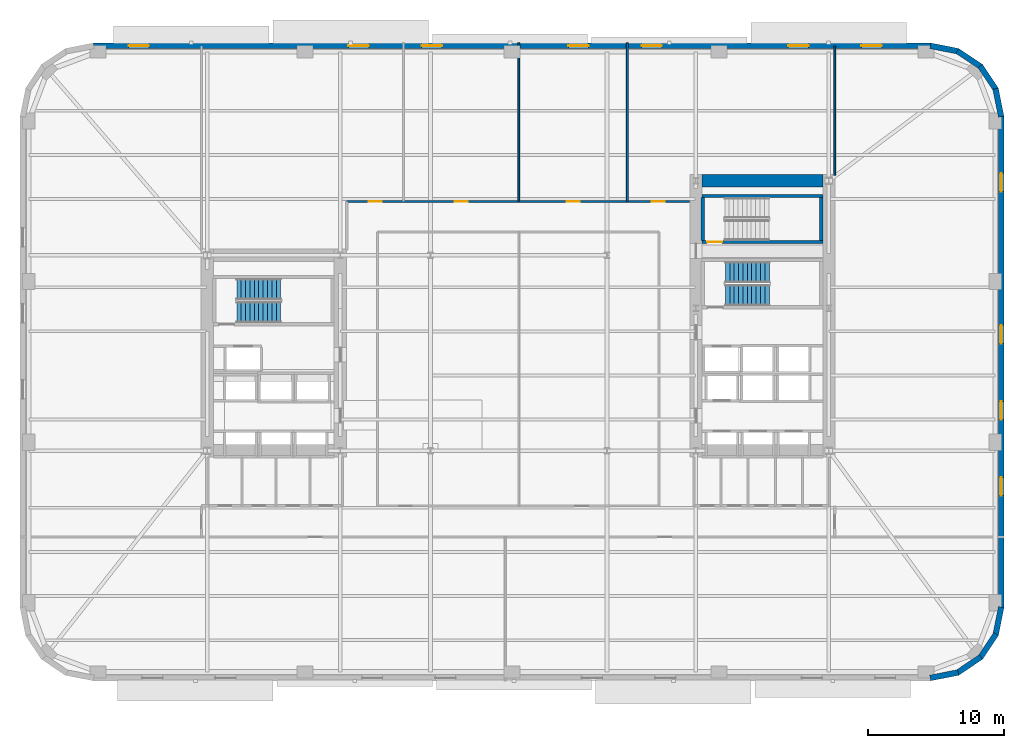
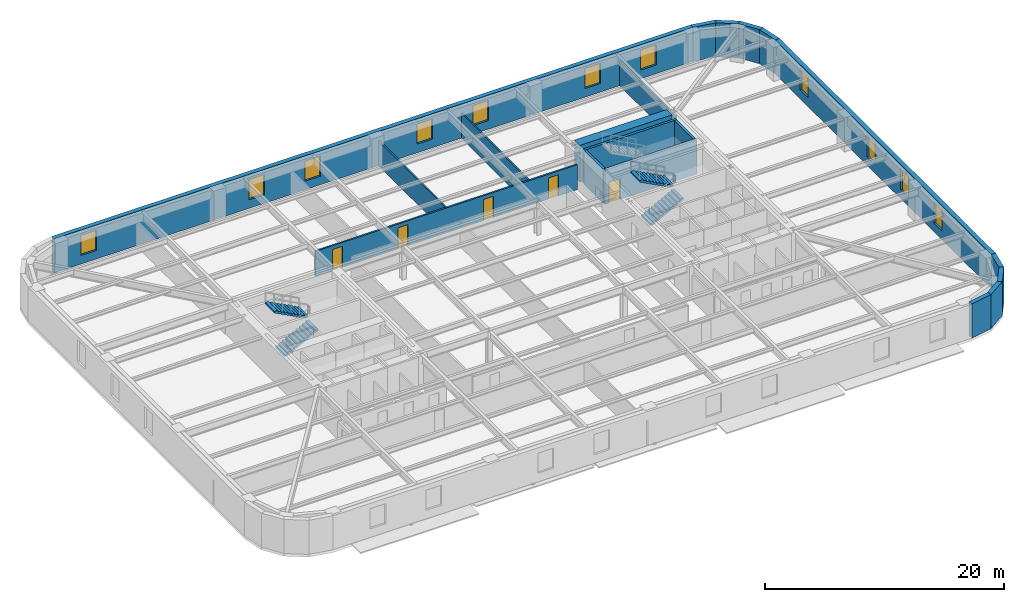
# One storey, part 7 of 15: 19 walls, 11 windows, 5 doors, 4 stair flights, 16 openings, 2 elements without a shape of their own.
"""IFC4 building model written with IfcOpenShell, lengths in metres."""

from ifc_helpers import new_model, si_unit, direction, frame, frame_2d, origin, place, context, subcontext, project, spatial, polyline, rectangle, outline, extrude, material, layer, layer_set, type_object, element, fill, aggregate, save


model = new_model("IFC4")

# Units and contexts
model_context = context("Model", 3, precision=1e-05, world=origin(), true_north=direction((0.0, 1.0)))
body_context = subcontext(model_context, "Body", "Model", "MODEL_VIEW")
ifc_project = project(units=[si_unit("LENGTHUNIT", "METRE"), si_unit("AREAUNIT", "SQUARE_METRE"), si_unit("VOLUMEUNIT", "CUBIC_METRE"), si_unit("PLANEANGLEUNIT", "RADIAN"), si_unit("MASSUNIT", "GRAM", prefix="KILO")], contexts=[model_context])

# Site, building, storey
site_placement = place(None, origin())
site = spatial("IfcSite", under=ifc_project, at=site_placement, CompositionType="ELEMENT")
building_placement = place(site_placement, origin())
building = spatial("IfcBuilding", under=site, at=building_placement, Name="Kolvaren Arena Tower", CompositionType="ELEMENT")
storey_placement = place(building_placement, frame((0.0, 0.0, 45.75)))
storey = spatial("IfcBuildingStorey", under=building, at=storey_placement, Name="L08", CompositionType="ELEMENT", Elevation=45.75)

# Wall, openings, doors
ifc_material_1 = material(Name="Gypsum board acoustic assembly", Category="gypsum")
ifc_layer_1 = layer(ifc_material_1, 0.159912109375)
ifc_layer_set_1 = layer_set([ifc_layer_1], Name="Gypsum board acoustic assembly")
wall_type_1 = type_object("IfcWallType", Name="CORR-160", PredefinedType="PARTITIONING", material=ifc_layer_set_1)
wall_1_placement = place(storey_placement, frame((24.820068359375, 37.820068359375, 0.0), z_axis=(0.0, 0.0, 1.0), x_axis=(1.0, 0.0, 0.0)))
wall_1 = element("IfcWall", 1, at=wall_1_placement, inside=storey, type_object=wall_type_1, Name="Interior Partition Wall (L08)", PredefinedType="PARTITIONING", context=body_context, shape_type="SweptSolid", body=[
    extrude(rectangle(XDim=25.260009765625, YDim=0.159912109375, at=frame_2d((12.6298828125, 0.0))), origin(), (0.0, 0.0, 1.0), 2.5400390625),
])
opening_1_placement = place(wall_1_placement, frame((1.6298828125, 0.0, 0.0)))
opening_1 = element("IfcOpeningElement", 2, at=opening_1_placement, cuts=wall_1, Name="Opening D05", PredefinedType="OPENING", context=body_context, shape_type="SweptSolid", body=[
    extrude(rectangle(XDim=0.949951171875, YDim=2.14990234375, at=frame_2d((0.47509765625, 1.074951171875))), frame((0.0, 0.08984375, 0.0), z_axis=(0.0, -1.0, 0.0), x_axis=(1.0, 0.0, 0.0)), (0.0, 0.0, 1.0), 0.179931640625),
])
opening_2_placement = place(wall_1_placement, frame((7.955078125, 0.0, 0.0)))
opening_2 = element("IfcOpeningElement", 3, at=opening_2_placement, cuts=wall_1, Name="Opening D05", PredefinedType="OPENING", context=body_context, shape_type="SweptSolid", body=[
    extrude(rectangle(XDim=0.949951171875, YDim=2.14990234375, at=frame_2d((0.47509765625, 1.074951171875))), frame((0.0, 0.08984375, 0.0), z_axis=(0.0, -1.0, 0.0), x_axis=(1.0, 0.0, 0.0)), (0.0, 0.0, 1.0), 0.179931640625),
])
opening_3_placement = place(wall_1_placement, frame((16.205078125, 0.0, 0.0)))
opening_3 = element("IfcOpeningElement", 4, at=opening_3_placement, cuts=wall_1, Name="Opening D05", PredefinedType="OPENING", context=body_context, shape_type="SweptSolid", body=[
    extrude(rectangle(XDim=0.949951171875, YDim=2.14990234375, at=frame_2d((0.47509765625, 1.074951171875))), frame((0.0, 0.08984375, 0.0), z_axis=(0.0, -1.0, 0.0), x_axis=(1.0, 0.0, 0.0)), (0.0, 0.0, 1.0), 0.179931640625),
])
opening_4_placement = place(wall_1_placement, frame((22.47998046875, 0.0, 0.0)))
opening_4 = element("IfcOpeningElement", 5, at=opening_4_placement, cuts=wall_1, Name="Opening D05", PredefinedType="OPENING", context=body_context, shape_type="SweptSolid", body=[
    extrude(rectangle(XDim=0.949951171875, YDim=2.14990234375, at=frame_2d((0.47509765625, 1.074951171875))), frame((0.0, 0.08984375, 0.0), z_axis=(0.0, -1.0, 0.0), x_axis=(1.0, 0.0, 0.0)), (0.0, 0.0, 1.0), 0.179931640625),
])
ifc_material_2 = material(Name="Solid-core oak acoustic office door", Category="wood")
door_type_1 = type_object("IfcDoorType", Name="DOOR-OF-095", OperationType="NOTDEFINED", PredefinedType="DOOR", material=ifc_material_2)
door_1_placement = place(opening_1_placement, origin())
door_1 = element("IfcDoor", 6, at=door_1_placement, inside=storey, type_object=door_type_1, Name="Wellness Room Door (L08)", OperationType="SINGLE_SWING_RIGHT", OverallHeight=2.14990234375, OverallWidth=0.949951171875, PredefinedType="DOOR", context=body_context, shape_type="SweptSolid", body=[
    extrude(rectangle(XDim=0.949951171875, YDim=2.14990234375, at=frame_2d((0.47509765625, 1.074951171875))), frame((0.0, 0.02490234375, 0.0), z_axis=(0.0, -1.0, 0.0), x_axis=(1.0, 0.0, 0.0)), (0.0, 0.0, 1.0), 0.050048828125),
])
fill(opening_1, door_1)
door_2_placement = place(opening_2_placement, origin())
door_2 = element("IfcDoor", 7, at=door_2_placement, inside=storey, type_object=door_type_1, Name="Boardroom Door (L08)", OperationType="SINGLE_SWING_LEFT", OverallHeight=2.14990234375, OverallWidth=0.949951171875, PredefinedType="DOOR", context=body_context, shape_type="SweptSolid", body=[
    extrude(rectangle(XDim=0.949951171875, YDim=2.14990234375, at=frame_2d((0.47509765625, 1.074951171875))), frame((0.0, 0.02490234375, 0.0), z_axis=(0.0, -1.0, 0.0), x_axis=(1.0, 0.0, 0.0)), (0.0, 0.0, 1.0), 0.050048828125),
])
fill(opening_2, door_2)
door_3_placement = place(opening_3_placement, origin())
door_3 = element("IfcDoor", 8, at=door_3_placement, inside=storey, type_object=door_type_1, Name="Breakout Pantry and Kitchen Door (L08)", OperationType="SINGLE_SWING_RIGHT", OverallHeight=2.14990234375, OverallWidth=0.949951171875, PredefinedType="DOOR", context=body_context, shape_type="SweptSolid", body=[
    extrude(rectangle(XDim=0.949951171875, YDim=2.14990234375, at=frame_2d((0.47509765625, 1.074951171875))), frame((0.0, 0.02490234375, 0.0), z_axis=(0.0, -1.0, 0.0), x_axis=(1.0, 0.0, 0.0)), (0.0, 0.0, 1.0), 0.050048828125),
])
fill(opening_3, door_3)
door_4_placement = place(opening_4_placement, origin())
door_4 = element("IfcDoor", 9, at=door_4_placement, inside=storey, type_object=door_type_1, Name="Training Seminar Room Door (L08)", OperationType="SINGLE_SWING_LEFT", OverallHeight=2.14990234375, OverallWidth=0.949951171875, PredefinedType="DOOR", context=body_context, shape_type="SweptSolid", body=[
    extrude(rectangle(XDim=0.949951171875, YDim=2.14990234375, at=frame_2d((0.47509765625, 1.074951171875))), frame((0.0, 0.02490234375, 0.0), z_axis=(0.0, -1.0, 0.0), x_axis=(1.0, 0.0, 0.0)), (0.0, 0.0, 1.0), 0.050048828125),
])
fill(opening_4, door_4)

# Walls
ifc_material_3 = material(Name="Concrete 80 MPa", Category="concrete")
ifc_layer_2 = layer(ifc_material_3, 0.89990234375)
ifc_layer_set_2 = layer_set([ifc_layer_2], Name="Concrete 80 MPa")
wall_type_2 = type_object("IfcWallType", Name="CWALL-900", PredefinedType="SHEAR", material=ifc_layer_set_2)
wall_2_placement = place(storey_placement, frame((51.0, 39.35009765625, -0.27001953125), z_axis=(0.0, 0.0, 1.0), x_axis=(1.0, 0.0, 0.0)))
element("IfcWall", 10, at=wall_2_placement, inside=storey, type_object=wall_type_2, Name="Core Shear Wall EC-NORTH (L08)", PredefinedType="SHEAR", context=body_context, shape_type="SweptSolid", body=[
    extrude(rectangle(XDim=8.89990234375, YDim=0.89990234375, at=frame_2d((4.449951171875, 0.0))), origin(), (0.0, 0.0, 1.0), 3.75),
])
ifc_material_4 = material(Name="Precast concrete C50/60", Category="concrete")
ifc_layer_3 = layer(ifc_material_4, 0.419921875)
ifc_layer_set_3 = layer_set([ifc_layer_3], Name="Precast concrete C50/60")
wall_type_3 = type_object("IfcWallType", Name="EXT-PIER1", PredefinedType="SOLIDWALL", material=ifc_layer_set_3)
for number, where, z_axis, x_axis, name in (
    (11, (69.87548828125, 3.1171875, 0.0), (0.0, 0.0, 1.0), (-0.9807762837, -0.195135546048, 0.0), "Exterior Precast Masonry-Frame Wall (L08)"),
    (12, (71.5517578125, 4.256103515625, 0.0), (0.0, 0.0, 1.0), (-0.831515102434, -0.555502146192, 0.0), "Exterior Precast Masonry-Frame Wall (L08)"),
    (13, (72.664306640625, 5.9501953125, 0.0), (0.0, 0.0, 1.0), (-0.555502146192, -0.831515102434, 0.0), "Exterior Precast Masonry-Frame Wall (L08)"),
    (14, (73.0439453125, 7.94091796875, 0.0), (0.0, 0.0, 1.0), (-0.195135546048, -0.9807762837, 0.0), "Exterior Precast Masonry-Frame Wall (L08)"),
):
    element("IfcWall", number, at=place(storey_placement, frame(where, z_axis=z_axis, x_axis=x_axis)), inside=storey, type_object=wall_type_3, Name=name, PredefinedType="SOLIDWALL", context=body_context, shape_type="SweptSolid", body=[
        extrude(rectangle(XDim=2.10693359375, YDim=0.419921875, at=frame_2d((1.053466796875, 0.0))), origin(), (0.0, 0.0, 1.0), 3.47998046875),
    ])

# Wall, openings, windows
wall_3_placement = place(storey_placement, frame((73.0400390625, 44.10009765625, 0.0), z_axis=(0.0, 0.0, 1.0), x_axis=(0.0, -1.0, 0.0)))
wall_3 = element("IfcWall", 15, at=wall_3_placement, inside=storey, type_object=wall_type_3, Name="Exterior Precast Masonry-Frame Wall (L08)", PredefinedType="SOLIDWALL", context=body_context, shape_type="SweptSolid", body=[
    extrude(rectangle(XDim=36.2001953125, YDim=0.419921875, at=frame_2d((18.10009765625, 0.0))), origin(), (0.0, 0.0, 1.0), 3.47998046875),
])
opening_5_placement = place(wall_3_placement, frame((4.199951171875, 0.0, 0.8798828125)))
opening_5 = element("IfcOpeningElement", 16, at=opening_5_placement, cuts=wall_3, Name="Opening W04", PredefinedType="OPENING", context=body_context, shape_type="SweptSolid", body=[
    extrude(rectangle(XDim=1.35009765625, YDim=2.199951171875, at=frame_2d((0.675048828125, 1.10009765625))), frame((0.0, 0.219970703125, 0.0), z_axis=(0.0, -1.0, 0.0), x_axis=(1.0, 0.0, 0.0)), (0.0, 0.0, 1.0), 0.43994140625),
])
opening_6_placement = place(wall_3_placement, frame((15.39990234375, 0.0, 0.8798828125)))
opening_6 = element("IfcOpeningElement", 17, at=opening_6_placement, cuts=wall_3, Name="Opening W04", PredefinedType="OPENING", context=body_context, shape_type="SweptSolid", body=[
    extrude(rectangle(XDim=1.35009765625, YDim=2.199951171875, at=frame_2d((0.675048828125, 1.10009765625))), frame((0.0, 0.219970703125, 0.0), z_axis=(0.0, -1.0, 0.0), x_axis=(1.0, 0.0, 0.0)), (0.0, 0.0, 1.0), 0.43994140625),
])
opening_7_placement = place(wall_3_placement, frame((21.0, 0.0, 0.8798828125)))
opening_7 = element("IfcOpeningElement", 18, at=opening_7_placement, cuts=wall_3, Name="Opening W04", PredefinedType="OPENING", context=body_context, shape_type="SweptSolid", body=[
    extrude(rectangle(XDim=1.35009765625, YDim=2.199951171875, at=frame_2d((0.675048828125, 1.10009765625))), frame((0.0, 0.219970703125, 0.0), z_axis=(0.0, -1.0, 0.0), x_axis=(1.0, 0.0, 0.0)), (0.0, 0.0, 1.0), 0.43994140625),
])
opening_8_placement = place(wall_3_placement, frame((26.60009765625, 0.0, 0.8798828125)))
opening_8 = element("IfcOpeningElement", 19, at=opening_8_placement, cuts=wall_3, Name="Opening W04", PredefinedType="OPENING", context=body_context, shape_type="SweptSolid", body=[
    extrude(rectangle(XDim=1.35009765625, YDim=2.199951171875, at=frame_2d((0.675048828125, 1.10009765625))), frame((0.0, 0.219970703125, 0.0), z_axis=(0.0, -1.0, 0.0), x_axis=(1.0, 0.0, 0.0)), (0.0, 0.0, 1.0), 0.43994140625),
])
ifc_material_5 = material(Name="Triple-glazed curved-facet corner window", Category="glass")
window_type_1 = type_object("IfcWindowType", Name="WIN-CRN-A", PartitioningType="SINGLE_PANEL", PredefinedType="WINDOW", material=ifc_material_5)
window_1_placement = place(opening_5_placement, origin())
window_1 = element("IfcWindow", 20, at=window_1_placement, inside=storey, type_object=window_type_1, Name="End-Wall Punched Window (L08)", OverallHeight=2.199951171875, OverallWidth=1.35009765625, PartitioningType="SINGLE_PANEL", PredefinedType="WINDOW", context=body_context, shape_type="SweptSolid", body=[
    extrude(rectangle(XDim=1.35009765625, YDim=2.199951171875, at=frame_2d((0.675048828125, 1.10009765625))), frame((0.0, 0.030029296875, 0.0), z_axis=(0.0, -1.0, 0.0), x_axis=(1.0, 0.0, 0.0)), (0.0, 0.0, 1.0), 0.06005859375),
])
fill(opening_5, window_1)
window_2_placement = place(opening_6_placement, origin())
window_2 = element("IfcWindow", 21, at=window_2_placement, inside=storey, type_object=window_type_1, Name="End-Wall Punched Window (L08)", OverallHeight=2.199951171875, OverallWidth=1.35009765625, PartitioningType="SINGLE_PANEL", PredefinedType="WINDOW", context=body_context, shape_type="SweptSolid", body=[
    extrude(rectangle(XDim=1.35009765625, YDim=2.199951171875, at=frame_2d((0.675048828125, 1.10009765625))), frame((0.0, 0.030029296875, 0.0), z_axis=(0.0, -1.0, 0.0), x_axis=(1.0, 0.0, 0.0)), (0.0, 0.0, 1.0), 0.06005859375),
])
fill(opening_6, window_2)
window_3_placement = place(opening_7_placement, origin())
window_3 = element("IfcWindow", 22, at=window_3_placement, inside=storey, type_object=window_type_1, Name="End-Wall Punched Window (L08)", OverallHeight=2.199951171875, OverallWidth=1.35009765625, PartitioningType="SINGLE_PANEL", PredefinedType="WINDOW", context=body_context, shape_type="SweptSolid", body=[
    extrude(rectangle(XDim=1.35009765625, YDim=2.199951171875, at=frame_2d((0.675048828125, 1.10009765625))), frame((0.0, 0.030029296875, 0.0), z_axis=(0.0, -1.0, 0.0), x_axis=(1.0, 0.0, 0.0)), (0.0, 0.0, 1.0), 0.06005859375),
])
fill(opening_7, window_3)
window_4_placement = place(opening_8_placement, origin())
window_4 = element("IfcWindow", 23, at=window_4_placement, inside=storey, type_object=window_type_1, Name="End-Wall Punched Window (L08)", OverallHeight=2.199951171875, OverallWidth=1.35009765625, PartitioningType="SINGLE_PANEL", PredefinedType="WINDOW", context=body_context, shape_type="SweptSolid", body=[
    extrude(rectangle(XDim=1.35009765625, YDim=2.199951171875, at=frame_2d((0.675048828125, 1.10009765625))), frame((0.0, 0.030029296875, 0.0), z_axis=(0.0, -1.0, 0.0), x_axis=(1.0, 0.0, 0.0)), (0.0, 0.0, 1.0), 0.06005859375),
])
fill(opening_8, window_4)

# Walls
for number, where, z_axis, x_axis, name in (
    (24, (72.6328125, 46.12548828125, 0.0), (0.0, 0.0, 1.0), (0.195135546048, -0.9807762837, 0.0), "Exterior Precast Masonry-Frame Wall (L08)"),
    (25, (71.493896484375, 47.8017578125, 0.0), (0.0, 0.0, 1.0), (0.555502146192, -0.831515102434, 0.0), "Exterior Precast Masonry-Frame Wall (L08)"),
    (26, (69.7998046875, 48.914306640625, 0.0), (0.0, 0.0, 1.0), (0.831515102434, -0.555502146192, 0.0), "Exterior Precast Masonry-Frame Wall (L08)"),
    (27, (67.80908203125, 49.2939453125, 0.0), (0.0, 0.0, 1.0), (0.9807762837, -0.195135546048, 0.0), "Exterior Precast Masonry-Frame Wall (L08)"),
):
    element("IfcWall", number, at=place(storey_placement, frame(where, z_axis=z_axis, x_axis=x_axis)), inside=storey, type_object=wall_type_3, Name=name, PredefinedType="SOLIDWALL", context=body_context, shape_type="SweptSolid", body=[
        extrude(rectangle(XDim=2.10693359375, YDim=0.419921875, at=frame_2d((1.053466796875, 0.0))), origin(), (0.0, 0.0, 1.0), 3.47998046875),
    ])

# Wall, openings, windows
wall_4_placement = place(storey_placement, frame((6.14990234375, 49.2900390625, 0.0), z_axis=(0.0, 0.0, 1.0), x_axis=(1.0, 0.0, 0.0)))
wall_4 = element("IfcWall", 28, at=wall_4_placement, inside=storey, type_object=wall_type_3, Name="Exterior Precast Masonry-Frame Wall (L08)", PredefinedType="SOLIDWALL", context=body_context, shape_type="SweptSolid", body=[
    extrude(rectangle(XDim=61.7001953125, YDim=0.419921875, at=frame_2d((30.85009765625, 0.0))), origin(), (0.0, 0.0, 1.0), 3.47998046875),
])
opening_9_placement = place(wall_4_placement, frame((2.60009765625, 0.0, 0.8798828125)))
opening_9 = element("IfcOpeningElement", 29, at=opening_9_placement, cuts=wall_4, Name="Opening W03", PredefinedType="OPENING", context=body_context, shape_type="SweptSolid", body=[
    extrude(rectangle(XDim=1.5, YDim=2.050048828125, at=frame_2d((0.75, 1.02490234375))), frame((0.0, 0.219970703125, 0.0), z_axis=(0.0, -1.0, 0.0), x_axis=(1.0, 0.0, 0.0)), (0.0, 0.0, 1.0), 0.43994140625),
])
opening_10_placement = place(wall_4_placement, frame((18.800048828125, 0.0, 0.8798828125)))
opening_10 = element("IfcOpeningElement", 30, at=opening_10_placement, cuts=wall_4, Name="Opening W03", PredefinedType="OPENING", context=body_context, shape_type="SweptSolid", body=[
    extrude(rectangle(XDim=1.5, YDim=2.050048828125, at=frame_2d((0.75, 1.02490234375))), frame((0.0, 0.219970703125, 0.0), z_axis=(0.0, -1.0, 0.0), x_axis=(1.0, 0.0, 0.0)), (0.0, 0.0, 1.0), 0.43994140625),
])
opening_11_placement = place(wall_4_placement, frame((24.199951171875, 0.0, 0.8798828125)))
opening_11 = element("IfcOpeningElement", 31, at=opening_11_placement, cuts=wall_4, Name="Opening W03", PredefinedType="OPENING", context=body_context, shape_type="SweptSolid", body=[
    extrude(rectangle(XDim=1.5, YDim=2.050048828125, at=frame_2d((0.75, 1.02490234375))), frame((0.0, 0.219970703125, 0.0), z_axis=(0.0, -1.0, 0.0), x_axis=(1.0, 0.0, 0.0)), (0.0, 0.0, 1.0), 0.43994140625),
])
opening_12_placement = place(wall_4_placement, frame((35.0, 0.0, 0.8798828125)))
opening_12 = element("IfcOpeningElement", 32, at=opening_12_placement, cuts=wall_4, Name="Opening W03", PredefinedType="OPENING", context=body_context, shape_type="SweptSolid", body=[
    extrude(rectangle(XDim=1.5, YDim=2.050048828125, at=frame_2d((0.75, 1.02490234375))), frame((0.0, 0.219970703125, 0.0), z_axis=(0.0, -1.0, 0.0), x_axis=(1.0, 0.0, 0.0)), (0.0, 0.0, 1.0), 0.43994140625),
])
opening_13_placement = place(wall_4_placement, frame((40.39990234375, 0.0, 0.8798828125)))
opening_13 = element("IfcOpeningElement", 33, at=opening_13_placement, cuts=wall_4, Name="Opening W03", PredefinedType="OPENING", context=body_context, shape_type="SweptSolid", body=[
    extrude(rectangle(XDim=1.5, YDim=2.050048828125, at=frame_2d((0.75, 1.02490234375))), frame((0.0, 0.219970703125, 0.0), z_axis=(0.0, -1.0, 0.0), x_axis=(1.0, 0.0, 0.0)), (0.0, 0.0, 1.0), 0.43994140625),
])
opening_14_placement = place(wall_4_placement, frame((51.199951171875, 0.0, 0.8798828125)))
opening_14 = element("IfcOpeningElement", 34, at=opening_14_placement, cuts=wall_4, Name="Opening W03", PredefinedType="OPENING", context=body_context, shape_type="SweptSolid", body=[
    extrude(rectangle(XDim=1.5, YDim=2.050048828125, at=frame_2d((0.75, 1.02490234375))), frame((0.0, 0.219970703125, 0.0), z_axis=(0.0, -1.0, 0.0), x_axis=(1.0, 0.0, 0.0)), (0.0, 0.0, 1.0), 0.43994140625),
])
opening_15_placement = place(wall_4_placement, frame((56.60009765625, 0.0, 0.8798828125)))
opening_15 = element("IfcOpeningElement", 35, at=opening_15_placement, cuts=wall_4, Name="Opening W03", PredefinedType="OPENING", context=body_context, shape_type="SweptSolid", body=[
    extrude(rectangle(XDim=1.5, YDim=2.050048828125, at=frame_2d((0.75, 1.02490234375))), frame((0.0, 0.219970703125, 0.0), z_axis=(0.0, -1.0, 0.0), x_axis=(1.0, 0.0, 0.0)), (0.0, 0.0, 1.0), 0.43994140625),
])
ifc_material_6 = material(Name="Triple-glazed low-E aluminium window", Category="aluminium")
window_type_2 = type_object("IfcWindowType", Name="WIN-OFF-C", PartitioningType="SINGLE_PANEL", PredefinedType="WINDOW", material=ifc_material_6)
window_5_placement = place(opening_9_placement, origin())
window_5 = element("IfcWindow", 36, at=window_5_placement, inside=storey, type_object=window_type_2, Name="Punched Precast-Pier Window (L08)", OverallHeight=2.050048828125, OverallWidth=1.5, PartitioningType="SINGLE_PANEL", PredefinedType="WINDOW", context=body_context, shape_type="SweptSolid", body=[
    extrude(rectangle(XDim=1.5, YDim=2.050048828125, at=frame_2d((0.75, 1.02490234375))), frame((0.0, 0.030029296875, 0.0), z_axis=(0.0, -1.0, 0.0), x_axis=(1.0, 0.0, 0.0)), (0.0, 0.0, 1.0), 0.06005859375),
])
fill(opening_9, window_5)
window_6_placement = place(opening_10_placement, origin())
window_6 = element("IfcWindow", 37, at=window_6_placement, inside=storey, type_object=window_type_2, Name="Punched Precast-Pier Window (L08)", OverallHeight=2.050048828125, OverallWidth=1.5, PartitioningType="SINGLE_PANEL", PredefinedType="WINDOW", context=body_context, shape_type="SweptSolid", body=[
    extrude(rectangle(XDim=1.5, YDim=2.050048828125, at=frame_2d((0.75, 1.02490234375))), frame((0.0, 0.030029296875, 0.0), z_axis=(0.0, -1.0, 0.0), x_axis=(1.0, 0.0, 0.0)), (0.0, 0.0, 1.0), 0.06005859375),
])
fill(opening_10, window_6)
window_7_placement = place(opening_11_placement, origin())
window_7 = element("IfcWindow", 38, at=window_7_placement, inside=storey, type_object=window_type_2, Name="Punched Precast-Pier Window (L08)", OverallHeight=2.050048828125, OverallWidth=1.5, PartitioningType="SINGLE_PANEL", PredefinedType="WINDOW", context=body_context, shape_type="SweptSolid", body=[
    extrude(rectangle(XDim=1.5, YDim=2.050048828125, at=frame_2d((0.75, 1.02490234375))), frame((0.0, 0.030029296875, 0.0), z_axis=(0.0, -1.0, 0.0), x_axis=(1.0, 0.0, 0.0)), (0.0, 0.0, 1.0), 0.06005859375),
])
fill(opening_11, window_7)
window_8_placement = place(opening_12_placement, origin())
window_8 = element("IfcWindow", 39, at=window_8_placement, inside=storey, type_object=window_type_2, Name="Punched Precast-Pier Window (L08)", OverallHeight=2.050048828125, OverallWidth=1.5, PartitioningType="SINGLE_PANEL", PredefinedType="WINDOW", context=body_context, shape_type="SweptSolid", body=[
    extrude(rectangle(XDim=1.5, YDim=2.050048828125, at=frame_2d((0.75, 1.02490234375))), frame((0.0, 0.030029296875, 0.0), z_axis=(0.0, -1.0, 0.0), x_axis=(1.0, 0.0, 0.0)), (0.0, 0.0, 1.0), 0.06005859375),
])
fill(opening_12, window_8)
window_9_placement = place(opening_13_placement, origin())
window_9 = element("IfcWindow", 40, at=window_9_placement, inside=storey, type_object=window_type_2, Name="Punched Precast-Pier Window (L08)", OverallHeight=2.050048828125, OverallWidth=1.5, PartitioningType="SINGLE_PANEL", PredefinedType="WINDOW", context=body_context, shape_type="SweptSolid", body=[
    extrude(rectangle(XDim=1.5, YDim=2.050048828125, at=frame_2d((0.75, 1.02490234375))), frame((0.0, 0.030029296875, 0.0), z_axis=(0.0, -1.0, 0.0), x_axis=(1.0, 0.0, 0.0)), (0.0, 0.0, 1.0), 0.06005859375),
])
fill(opening_13, window_9)
window_10_placement = place(opening_14_placement, origin())
window_10 = element("IfcWindow", 41, at=window_10_placement, inside=storey, type_object=window_type_2, Name="Punched Precast-Pier Window (L08)", OverallHeight=2.050048828125, OverallWidth=1.5, PartitioningType="SINGLE_PANEL", PredefinedType="WINDOW", context=body_context, shape_type="SweptSolid", body=[
    extrude(rectangle(XDim=1.5, YDim=2.050048828125, at=frame_2d((0.75, 1.02490234375))), frame((0.0, 0.030029296875, 0.0), z_axis=(0.0, -1.0, 0.0), x_axis=(1.0, 0.0, 0.0)), (0.0, 0.0, 1.0), 0.06005859375),
])
fill(opening_14, window_10)
window_11_placement = place(opening_15_placement, origin())
window_11 = element("IfcWindow", 42, at=window_11_placement, inside=storey, type_object=window_type_2, Name="Punched Precast-Pier Window (L08)", OverallHeight=2.050048828125, OverallWidth=1.5, PartitioningType="SINGLE_PANEL", PredefinedType="WINDOW", context=body_context, shape_type="SweptSolid", body=[
    extrude(rectangle(XDim=1.5, YDim=2.050048828125, at=frame_2d((0.75, 1.02490234375))), frame((0.0, 0.030029296875, 0.0), z_axis=(0.0, -1.0, 0.0), x_axis=(1.0, 0.0, 0.0)), (0.0, 0.0, 1.0), 0.06005859375),
])
fill(opening_15, window_11)

# Walls
ifc_material_7 = material(Name="Gypsum board partition assembly", Category="gypsum")
ifc_layer_4 = layer(ifc_material_7, 0.135009765625)
ifc_layer_set_4 = layer_set([ifc_layer_4], Name="Gypsum board partition assembly")
wall_type_4 = type_object("IfcWallType", Name="PART-135", PredefinedType="PARTITIONING", material=ifc_layer_set_4)
for number, where, z_axis, x_axis, name in (
    (43, (37.5, 37.820068359375, 0.0), (0.0, 0.0, 1.0), (0.0, 1.0, 0.0), "Interior Partition Wall (L08)"),
    (44, (45.5, 37.820068359375, 0.0), (0.0, 0.0, 1.0), (0.0, 1.0, 0.0), "Interior Partition Wall (L08)"),
):
    element("IfcWall", number, at=place(storey_placement, frame(where, z_axis=z_axis, x_axis=x_axis)), inside=storey, type_object=wall_type_4, Name=name, PredefinedType="PARTITIONING", context=body_context, shape_type="SweptSolid", body=[
        extrude(rectangle(XDim=11.679931640625, YDim=0.135009765625, at=frame_2d((5.83984375, 0.0))), origin(), (0.0, 0.0, 1.0), 2.5400390625),
    ])
wall_5_placement = place(storey_placement, frame((60.780029296875, 39.75, 0.0), z_axis=(0.0, 0.0, 1.0), x_axis=(0.0, 1.0, 0.0)))
element("IfcWall", 45, at=wall_5_placement, inside=storey, type_object=wall_type_4, Name="Interior Partition Wall (L08)", PredefinedType="PARTITIONING", context=body_context, shape_type="SweptSolid", body=[
    extrude(rectangle(XDim=9.510009765625, YDim=0.135009765625, at=frame_2d((4.7548828125, 0.0))), origin(), (0.0, 0.0, 1.0), 2.5400390625),
])

# Wall, opening, door
ifc_material_8 = material(Name="Concrete 45 MPa", Category="concrete")
ifc_layer_5 = layer(ifc_material_8, 0.25)
ifc_layer_set_5 = layer_set([ifc_layer_5], Name="Concrete 45 MPa")
wall_type_5 = type_object("IfcWallType", Name="SHAFT-250", PredefinedType="SOLIDWALL", material=ifc_layer_set_5)
wall_6_placement = place(storey_placement, frame((59.89990234375, 34.830078125, 0.0), z_axis=(0.0, 0.0, 1.0), x_axis=(-1.0, 0.0, 0.0)))
wall_6 = element("IfcWall", 46, at=wall_6_placement, inside=storey, type_object=wall_type_5, Name="Core Shaft Wall (L08)", PredefinedType="SOLIDWALL", context=body_context, shape_type="SweptSolid", body=[
    extrude(rectangle(XDim=8.89990234375, YDim=0.239990234375, at=frame_2d((4.449951171875, 0.0))), origin(), (0.0, 0.0, 1.0), 3.47998046875),
])
opening_16_placement = place(wall_6_placement, frame((7.419921875, 0.0, 0.0)))
opening_16 = element("IfcOpeningElement", 47, at=opening_16_placement, cuts=wall_6, Name="Opening D03", PredefinedType="OPENING", context=body_context, shape_type="SweptSolid", body=[
    extrude(rectangle(XDim=1.10009765625, YDim=2.14990234375, at=frame_2d((0.550048828125, 1.074951171875))), frame((0.0, 0.1298828125, 0.0), z_axis=(0.0, -1.0, 0.0), x_axis=(1.0, 0.0, 0.0)), (0.0, 0.0, 1.0), 0.260009765625),
])
ifc_material_9 = material(Name="Fire-rated steel exit stair door", Category="steel")
door_type_2 = type_object("IfcDoorType", Name="DOOR-ST-110", OperationType="NOTDEFINED", PredefinedType="DOOR", material=ifc_material_9)
door_5_placement = place(opening_16_placement, origin())
door_5 = element("IfcDoor", 48, at=door_5_placement, inside=storey, type_object=door_type_2, Name="Stair ST-E2 Fire Door (L08)", OperationType="SINGLE_SWING_LEFT", OverallHeight=2.14990234375, OverallWidth=1.10009765625, PredefinedType="DOOR", context=body_context, shape_type="SweptSolid", body=[
    extrude(rectangle(XDim=1.10009765625, YDim=2.14990234375, at=frame_2d((0.550048828125, 1.074951171875))), frame((0.0, 0.02490234375, 0.0), z_axis=(0.0, -1.0, 0.0), x_axis=(1.0, 0.0, 0.0)), (0.0, 0.0, 1.0), 0.050048828125),
])
fill(opening_16, door_5)

# Walls
wall_7_placement = place(storey_placement, frame((51.0, 38.219970703125, 0.0), z_axis=(0.0, 0.0, 1.0), x_axis=(1.0, 0.0, 0.0)))
element("IfcWall", 49, at=wall_7_placement, inside=storey, type_object=wall_type_5, Name="Core Shaft Wall (L08)", PredefinedType="SOLIDWALL", context=body_context, shape_type="SweptSolid", body=[
    extrude(rectangle(XDim=8.89990234375, YDim=0.239990234375, at=frame_2d((4.449951171875, 0.0))), origin(), (0.0, 0.0, 1.0), 3.47998046875),
])
for number, where, z_axis, x_axis, name in (
    (50, (51.06005859375, 34.949951171875, 0.0), (0.0, 0.0, 1.0), (0.0, 1.0, 0.0), "Core Shaft Wall (L08)"),
    (51, (59.780029296875, 34.949951171875, 0.0), (0.0, 0.0, 1.0), (0.0, 1.0, 0.0), "Core Shaft Wall (L08)"),
):
    element("IfcWall", number, at=place(storey_placement, frame(where, z_axis=z_axis, x_axis=x_axis)), inside=storey, type_object=wall_type_5, Name=name, PredefinedType="SOLIDWALL", context=body_context, shape_type="SweptSolid", body=[
        extrude(rectangle(XDim=3.150146484375, YDim=0.239990234375, at=frame_2d((1.5751953125, 0.0))), origin(), (0.0, 0.0, 1.0), 3.47998046875),
    ])

# Stair, stair flights
stair_type = type_object("IfcStairType", Name="STAIR-CORE-165", PredefinedType="HALF_TURN_STAIR", material=ifc_material_8)
stair_1_placement = place(storey_placement, origin())
stair_1 = element("IfcStair", 52, at=stair_1_placement, inside=storey, type_object=stair_type, Name="L08 ST-W1", PredefinedType="HALF_TURN_STAIR")
stair_flight_type = type_object("IfcStairFlightType", Name="FLT-165", PredefinedType="STRAIGHT", material=ifc_material_8)
stair_flight_1_placement = place(storey_placement, frame((16.719970703125, 29.669921875, 0.0), z_axis=(0.0, 0.0, 1.0), x_axis=(1.0, 0.0, 0.0)))
stair_flight_1 = element("IfcStairFlight", 53, at=stair_flight_1_placement, type_object=stair_flight_type, Name="ST-W1 flight 1", NumberOfRisers=11, NumberOfTreads=10, PredefinedType="STRAIGHT", RiserHeight=0.170454545, TreadLength=0.324, context=body_context, shape_type="SweptSolid", body=[
    extrude(outline(polyline([(0.0, 0.0), (0.0, 0.17041015625), (0.323974609375, 0.17041015625), (0.323974609375, 0.3408203125), (0.64794921875, 0.3408203125), (0.64794921875, 0.511474609375), (0.971923828125, 0.511474609375), (0.971923828125, 0.681884765625), (1.2958984375, 0.681884765625), (1.2958984375, 0.852294921875), (1.6201171875, 0.852294921875), (1.6201171875, 1.022705078125), (1.944091796875, 1.022705078125), (1.944091796875, 1.193115234375), (2.26806640625, 1.193115234375), (2.26806640625, 1.363525390625), (2.592041015625, 1.363525390625), (2.592041015625, 1.5341796875), (2.916015625, 1.5341796875), (2.916015625, 1.70458984375), (3.239990234375, 1.70458984375), (3.239990234375, 1.875), (3.239990234375, 1.53515625), (0.322021484375, 0.0), (0.0, 0.0)])), frame((0.0, 0.77001953125, 0.0), z_axis=(0.0, -1.0, 0.0), x_axis=(1.0, 0.0, 0.0)), (0.0, 0.0, 1.0), 1.5400390625),
])
stair_flight_2_placement = place(storey_placement, frame((19.9599609375, 31.360107421875, 1.875), z_axis=(0.0, 0.0, 1.0), x_axis=(-1.0, 0.0, 0.0)))
stair_flight_2 = element("IfcStairFlight", 54, at=stair_flight_2_placement, type_object=stair_flight_type, Name="ST-W1 flight 2", NumberOfRisers=11, NumberOfTreads=10, PredefinedType="STRAIGHT", RiserHeight=0.170454545, TreadLength=0.324, context=body_context, shape_type="SweptSolid", body=[
    extrude(outline(polyline([(0.0, 0.0), (0.0, 0.17041015625), (0.323974609375, 0.17041015625), (0.323974609375, 0.3408203125), (0.64794921875, 0.3408203125), (0.64794921875, 0.511474609375), (0.971923828125, 0.511474609375), (0.971923828125, 0.681884765625), (1.2958984375, 0.681884765625), (1.2958984375, 0.852294921875), (1.6201171875, 0.852294921875), (1.6201171875, 1.022705078125), (1.944091796875, 1.022705078125), (1.944091796875, 1.193115234375), (2.26806640625, 1.193115234375), (2.26806640625, 1.363525390625), (2.592041015625, 1.363525390625), (2.592041015625, 1.5341796875), (2.916015625, 1.5341796875), (2.916015625, 1.70458984375), (3.239990234375, 1.70458984375), (3.239990234375, 1.875), (3.239990234375, 1.53515625), (0.322021484375, 0.0), (0.0, 0.0)])), frame((0.0, 0.77001953125, 0.0), z_axis=(0.0, -1.0, 0.0), x_axis=(1.0, 0.0, 0.0)), (0.0, 0.0, 1.0), 1.5400390625),
])
aggregate(stair_1, [stair_flight_1, stair_flight_2])

stair_2_placement = place(storey_placement, origin())
stair_2 = element("IfcStair", 55, at=stair_2_placement, inside=storey, type_object=stair_type, Name="L08 ST-E1", PredefinedType="HALF_TURN_STAIR")
stair_flight_3_placement = place(storey_placement, frame((52.719970703125, 30.919921875, 0.0), z_axis=(0.0, 0.0, 1.0), x_axis=(1.0, 0.0, 0.0)))
stair_flight_3 = element("IfcStairFlight", 56, at=stair_flight_3_placement, type_object=stair_flight_type, Name="ST-E1 flight 1", NumberOfRisers=11, NumberOfTreads=10, PredefinedType="STRAIGHT", RiserHeight=0.170454545, TreadLength=0.324, context=body_context, shape_type="SweptSolid", body=[
    extrude(outline(polyline([(0.0, 0.0), (0.0, 0.17041015625), (0.323974609375, 0.17041015625), (0.323974609375, 0.3408203125), (0.64794921875, 0.3408203125), (0.64794921875, 0.511474609375), (0.971923828125, 0.511474609375), (0.971923828125, 0.681884765625), (1.2958984375, 0.681884765625), (1.2958984375, 0.852294921875), (1.6201171875, 0.852294921875), (1.6201171875, 1.022705078125), (1.944091796875, 1.022705078125), (1.944091796875, 1.193115234375), (2.26806640625, 1.193115234375), (2.26806640625, 1.363525390625), (2.592041015625, 1.363525390625), (2.592041015625, 1.5341796875), (2.916015625, 1.5341796875), (2.916015625, 1.70458984375), (3.239990234375, 1.70458984375), (3.239990234375, 1.875), (3.239990234375, 1.53515625), (0.322021484375, 0.0), (0.0, 0.0)])), frame((0.0, 0.77001953125, 0.0), z_axis=(0.0, -1.0, 0.0), x_axis=(1.0, 0.0, 0.0)), (0.0, 0.0, 1.0), 1.5400390625),
])
stair_flight_4_placement = place(storey_placement, frame((55.9599609375, 32.610107421875, 1.875), z_axis=(0.0, 0.0, 1.0), x_axis=(-1.0, 0.0, 0.0)))
stair_flight_4 = element("IfcStairFlight", 57, at=stair_flight_4_placement, type_object=stair_flight_type, Name="ST-E1 flight 2", NumberOfRisers=11, NumberOfTreads=10, PredefinedType="STRAIGHT", RiserHeight=0.170454545, TreadLength=0.324, context=body_context, shape_type="SweptSolid", body=[
    extrude(outline(polyline([(0.0, 0.0), (0.0, 0.17041015625), (0.323974609375, 0.17041015625), (0.323974609375, 0.3408203125), (0.64794921875, 0.3408203125), (0.64794921875, 0.511474609375), (0.971923828125, 0.511474609375), (0.971923828125, 0.681884765625), (1.2958984375, 0.681884765625), (1.2958984375, 0.852294921875), (1.6201171875, 0.852294921875), (1.6201171875, 1.022705078125), (1.944091796875, 1.022705078125), (1.944091796875, 1.193115234375), (2.26806640625, 1.193115234375), (2.26806640625, 1.363525390625), (2.592041015625, 1.363525390625), (2.592041015625, 1.5341796875), (2.916015625, 1.5341796875), (2.916015625, 1.70458984375), (3.239990234375, 1.70458984375), (3.239990234375, 1.875), (3.239990234375, 1.53515625), (0.322021484375, 0.0), (0.0, 0.0)])), frame((0.0, 0.77001953125, 0.0), z_axis=(0.0, -1.0, 0.0), x_axis=(1.0, 0.0, 0.0)), (0.0, 0.0, 1.0), 1.5400390625),
])
aggregate(stair_2, [stair_flight_3, stair_flight_4])

save(model, "model.ifc")
